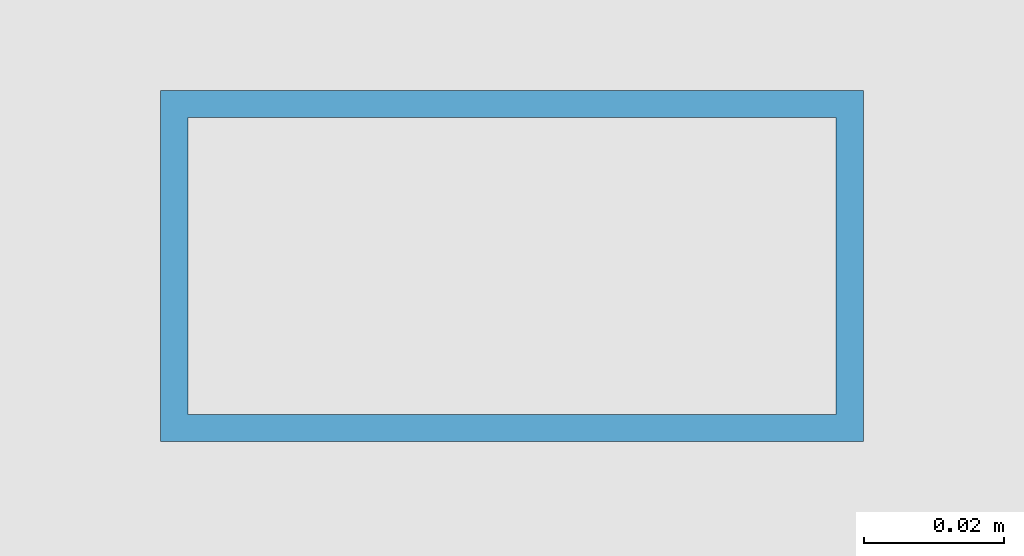
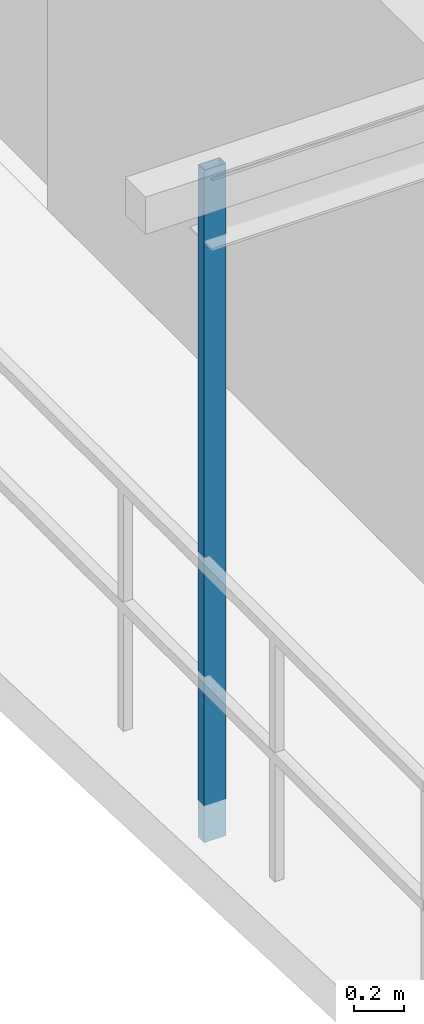
# One storey, part 3 of 15: 1 member.
"""IFC4 building model written with IfcOpenShell, lengths in metres."""

import ifcopenshell
import ifcopenshell.guid

model = None  # the IFC model being written
_history = None  # IfcOwnerHistory: only IFC2X3 demands one
_inside = {}  # id of a spatial element -> (the spatial element, [elements in it])
_under = {}  # id of a project, library or spatial element -> (it, [spatial elements below it])
_declared = {}  # id of a project -> (the project, [libraries it declares])
_typed = {}  # id of a type object -> (the type object, [elements of that type])
_made_of = {}  # id of a material, layer set ... -> (it, [elements and type objects made of it])


def new_model(schema):
    """Start an empty IFC model of exactly this schema.

    Asked for "IFC4X3", IfcOpenShell would pick the latest addendum, in which some entities
    have other attributes; the version numbers below select the first issue.
    IFC2X3 requires an IfcOwnerHistory on every rooted entity: one is made here for all.
    """
    global model, _history
    if schema == "IFC4X3":
        model = ifcopenshell.file(schema_version=(4, 3, 0, 0))
    else:
        model = ifcopenshell.file(schema=schema)
    _inside.clear()
    _under.clear()
    _declared.clear()
    _typed.clear()
    _made_of.clear()
    _history = None
    if model.schema == "IFC2X3":
        org = make("IfcOrganization", Name="unknown")
        user = make(
            "IfcPersonAndOrganization",
            ThePerson=make("IfcPerson", FamilyName="unknown"),
            TheOrganization=org,
        )
        app = make(
            "IfcApplication",
            ApplicationDeveloper=org,
            Version="unknown",
            ApplicationFullName="unknown",
            ApplicationIdentifier="unknown",
        )
        _history = make(
            "IfcOwnerHistory",
            OwningUser=user,
            OwningApplication=app,
            ChangeAction="ADDED",
            CreationDate=0,
        )
    return model


def make(cls, **values):
    """One entity of the class cls with the attributes given. An attribute that is None is left unset."""
    return model.create_entity(
        cls, **{name: value for name, value in values.items() if value is not None}
    )


def rooted(cls, **values):
    """An entity with a GlobalId (a new one), such as an element, a storey or a relation."""
    return make(cls, GlobalId=ifcopenshell.guid.new(), OwnerHistory=_history, **values)


def si_unit(unit_type, name, prefix=None):
    """IfcSIUnit, for example si_unit("LENGTHUNIT", "METRE", prefix="MILLI")."""
    return make("IfcSIUnit", UnitType=unit_type, Prefix=prefix, Name=name)


def assignment(units):
    """IfcUnitAssignment: the units of a project."""
    return None if units is None else make("IfcUnitAssignment", Units=units)


def point(xyz):
    """IfcCartesianPoint."""
    return None if xyz is None else make("IfcCartesianPoint", Coordinates=xyz)


def direction(xyz):
    """IfcDirection."""
    return None if xyz is None else make("IfcDirection", DirectionRatios=xyz)


def frame(location, z_axis=None, x_axis=None):
    """IfcAxis2Placement3D, a coordinate frame: its origin and axes. An axis left out is left unset."""
    return make(
        "IfcAxis2Placement3D",
        Location=point(location),
        Axis=direction(z_axis),
        RefDirection=direction(x_axis),
    )


def frame_2d(location, x_axis=None):
    """IfcAxis2Placement2D, a coordinate frame in the plane: its origin and x axis."""
    return make(
        "IfcAxis2Placement2D", Location=point(location), RefDirection=direction(x_axis)
    )


def origin():
    """The frame at (0, 0, 0) with its axes left unset."""
    return frame((0.0, 0.0, 0.0))


def origin_2d():
    """The frame at (0, 0) in the plane with its x axis left unset."""
    return frame_2d((0.0, 0.0))


def place(relative_to, where):
    """IfcLocalPlacement: puts the frame where relative to a parent placement (None: the world)."""
    return make(
        "IfcLocalPlacement", PlacementRelTo=relative_to, RelativePlacement=where
    )


def context(
    kind, dimensions, precision=None, world=None, true_north=None, identifier=None
):
    """IfcGeometricRepresentationContext, for example the 3D "Model" context."""
    return make(
        "IfcGeometricRepresentationContext",
        ContextIdentifier=identifier,
        ContextType=kind,
        CoordinateSpaceDimension=dimensions,
        Precision=precision,
        WorldCoordinateSystem=world,
        TrueNorth=true_north,
    )


def subcontext(parent, identifier, kind, view, scale=None):
    """IfcGeometricRepresentationSubContext, for example "Body" below "Model"."""
    return make(
        "IfcGeometricRepresentationSubContext",
        ContextIdentifier=identifier,
        ContextType=kind,
        ParentContext=parent,
        TargetScale=scale,
        TargetView=view,
    )


def project(units=None, contexts=None):
    """IfcProject with its units and contexts."""
    return rooted(
        "IfcProject",
        Name="project",
        RepresentationContexts=contexts,
        UnitsInContext=assignment(units),
    )


def spatial(cls, under=None, at=None, **own):
    """A site, building, storey or space (cls), placed at a placement, below another one or the project."""
    s = rooted(cls, ObjectPlacement=at, **own)
    if under is not None:
        _under.setdefault(under.id(), (under, []))[1].append(s)
    return s


def profile(cls, at=None, kind="AREA", **sizes):
    """A parametric profile (cls). Its sizes go by their IFC names, for example OverallWidth=200.0."""
    return make(cls, ProfileType=kind, Position=at, **sizes)


def hollow_rectangle(**sizes):
    """IfcRectangleHollowProfileDef."""
    return profile("IfcRectangleHollowProfileDef", **sizes)


def extrude(swept, where, along, depth):
    """IfcExtrudedAreaSolid: the profile swept, set in the frame where, extruded along a direction by depth."""
    return make(
        "IfcExtrudedAreaSolid",
        SweptArea=swept,
        Position=where,
        ExtrudedDirection=direction(along),
        Depth=depth,
    )


def shape(context_of_items, identifier, shape_type, items):
    """IfcShapeRepresentation: the items that make up one representation, for example the "Body"."""
    return make(
        "IfcShapeRepresentation",
        ContextOfItems=context_of_items,
        RepresentationIdentifier=identifier,
        RepresentationType=shape_type,
        Items=items,
    )


def source(mapping_origin, context_of_items, identifier, shape_type, items):
    """IfcRepresentationMap: a shape defined once, which mapped items show again and again."""
    return make(
        "IfcRepresentationMap",
        MappingOrigin=mapping_origin,
        MappedRepresentation=shape(context_of_items, identifier, shape_type, items),
    )


def transform(
    local_origin,
    x_axis=None,
    y_axis=None,
    z_axis=None,
    scale=None,
    scale2=None,
    scale3=None,
    uniform=True,
):
    """IfcCartesianTransformationOperator3D, or its non-uniform kind. x_axis, y_axis, z_axis: its Axis1, 2, 3."""
    if uniform:
        return make(
            "IfcCartesianTransformationOperator3D",
            Axis1=direction(x_axis),
            Axis2=direction(y_axis),
            LocalOrigin=point(local_origin),
            Scale=scale,
            Axis3=direction(z_axis),
        )
    return make(
        "IfcCartesianTransformationOperator3DnonUniform",
        Axis1=direction(x_axis),
        Axis2=direction(y_axis),
        LocalOrigin=point(local_origin),
        Scale=scale,
        Axis3=direction(z_axis),
        Scale2=scale2,
        Scale3=scale3,
    )


def mapped(mapping_source, mapping_target):
    """IfcMappedItem: shows the shape of a source again, moved by a transform."""
    return make(
        "IfcMappedItem", MappingSource=mapping_source, MappingTarget=mapping_target
    )


def material(Name=None, Category=None):
    """IfcMaterial."""
    return make("IfcMaterial", Name=Name, Category=Category)


def material_profile(
    of_material, cross_section, Name=None, Category=None, Priority=None
):
    """IfcMaterialProfile: a cross section and its material."""
    return make(
        "IfcMaterialProfile",
        Name=Name,
        Material=of_material,
        Profile=cross_section,
        Priority=Priority,
        Category=Category,
    )


def profile_set(profiles, Name=None, composite=None):
    """IfcMaterialProfileSet."""
    return make(
        "IfcMaterialProfileSet",
        Name=Name,
        MaterialProfiles=profiles,
        CompositeProfile=composite,
    )


def made_of(thing, what):
    """Note that an element or type object is made of a material, layer set ...; save() writes the relation."""
    if what is not None:
        _made_of.setdefault(what.id(), (what, []))[1].append(thing)
    return thing


def type_object(cls, material=None, **own):
    """A type object (cls), such as IfcWallType, which elements share."""
    return made_of(rooted(cls, **own), material)


def element(
    cls,
    number,
    at=None,
    inside=None,
    cuts=None,
    type_object=None,
    material=None,
    context=None,
    identifier="Body",
    shape_type=None,
    held_by="IfcProductDefinitionShape",
    body=None,
    shapes=None,
    **own,
):
    """One element of the class cls, such as IfcWall. Its Tag is "e" and its number.

    at: its placement. inside: the storey or other place that contains it. cuts: it is an
    opening in that element (IfcRelVoidsElement). A single representation is given by context,
    identifier, shape_type and body (its items); several are given by shapes. held_by: the class
    of the entity that holds the representations. save() writes the other relations.
    """
    e = rooted(cls, Tag="e%d" % number, ObjectPlacement=at, **own)
    if body is not None:
        shapes = [shape(context, identifier, shape_type, body)]
    if shapes is not None:
        e.Representation = make(held_by, Representations=shapes)
    if inside is not None:
        _inside.setdefault(inside.id(), (inside, []))[1].append(e)
    if cuts is not None:
        rooted(
            "IfcRelVoidsElement", RelatingBuildingElement=cuts, RelatedOpeningElement=e
        )
    if type_object is not None:
        _typed.setdefault(type_object.id(), (type_object, []))[1].append(e)
    return made_of(e, material)


def aggregate(whole, parts):
    """IfcRelAggregates: a whole, such as a stair, and the parts it consists of."""
    return rooted("IfcRelAggregates", RelatingObject=whole, RelatedObjects=parts)


def save(model, path):
    """Write the relations noted so far, then the file.

    IfcRelAggregates (storeys below a building ...), IfcRelContainedInSpatialStructure (elements
    in a storey), IfcRelDefinesByType, IfcRelAssociatesMaterial and IfcRelDeclares: one each for
    every whole, place, type object, material and project.
    """
    for whole, parts in _under.values():
        aggregate(whole, parts)
    for where, things in _inside.values():
        rooted(
            "IfcRelContainedInSpatialStructure",
            RelatedElements=things,
            RelatingStructure=where,
        )
    for kind, things in _typed.values():
        rooted("IfcRelDefinesByType", RelatedObjects=things, RelatingType=kind)
    for what, things in _made_of.values():
        rooted("IfcRelAssociatesMaterial", RelatedObjects=things, RelatingMaterial=what)
    for by, libraries in _declared.values():
        rooted("IfcRelDeclares", RelatingContext=by, RelatedDefinitions=libraries)
    model.write(path)


model = new_model("IFC4")

# Units and contexts
model_context = context("Model", 3, precision=1e-05, world=origin(), true_north=direction((0.0, 1.0)))
body_context = subcontext(model_context, "Body", "Model", "MODEL_VIEW")
ifc_project = project(units=[si_unit("LENGTHUNIT", "METRE"), si_unit("AREAUNIT", "SQUARE_METRE"), si_unit("VOLUMEUNIT", "CUBIC_METRE"), si_unit("PLANEANGLEUNIT", "RADIAN"), si_unit("MASSUNIT", "GRAM", prefix="KILO"), si_unit("THERMODYNAMICTEMPERATUREUNIT", "KELVIN"), si_unit("POWERUNIT", "WATT")], contexts=[model_context])

# Site, building, storey
site_placement = place(None, origin())
site = spatial("IfcSite", under=ifc_project, at=site_placement, CompositionType="ELEMENT")
building_placement = place(site_placement, origin())
building = spatial("IfcBuilding", under=site, at=building_placement, Name="Qiaomeng Ring Towers", CompositionType="ELEMENT")
storey_placement = place(building_placement, frame((0.0, 0.0, 206.75)))
storey = spatial("IfcBuildingStorey", under=building, at=storey_placement, Name="L60", CompositionType="ELEMENT", Elevation=206.75)

# Member
ifc_material = material(Name="Stainless steel 316", Category="steel")
ifc_material_profile = material_profile(ifc_material, hollow_rectangle(XDim=0.050048828125, YDim=0.10009765625, WallThickness=0.00390625, at=origin_2d()), Name="SS TRELLIS 100x50")
ifc_profile_set = profile_set([ifc_material_profile], Name="Stainless steel 316")
member_type = type_object("IfcMemberType", Name="ARC-TR-POST2", PredefinedType="STUD", material=ifc_profile_set)
shared_shape = source(origin(), body_context, "Body", "SweptSolid", [
    extrude(hollow_rectangle(XDim=0.050048828125, YDim=0.10009765625, WallThickness=0.00390625, at=origin_2d()), origin(), (0.0, 0.0, 1.0), 3.25),
])
member_placement = place(storey_placement, frame((0.72998046875, 20.0, -0.179931640625), z_axis=(0.0, 0.0, 1.0), x_axis=(0.0, 1.0, 0.0)))
element("IfcMember", 1, at=member_placement, inside=storey, type_object=member_type, Name="L60 Outer Ventilated Trellis Post W", PredefinedType="STUD", context=body_context, shape_type="MappedRepresentation", body=[
    mapped(shared_shape, transform((0.0, 0.0, 0.0), x_axis=(1.0, 0.0, 0.0), y_axis=(0.0, 1.0, 0.0), z_axis=(0.0, 0.0, 1.0), scale=1.0)),
])

save(model, "model.ifc")
